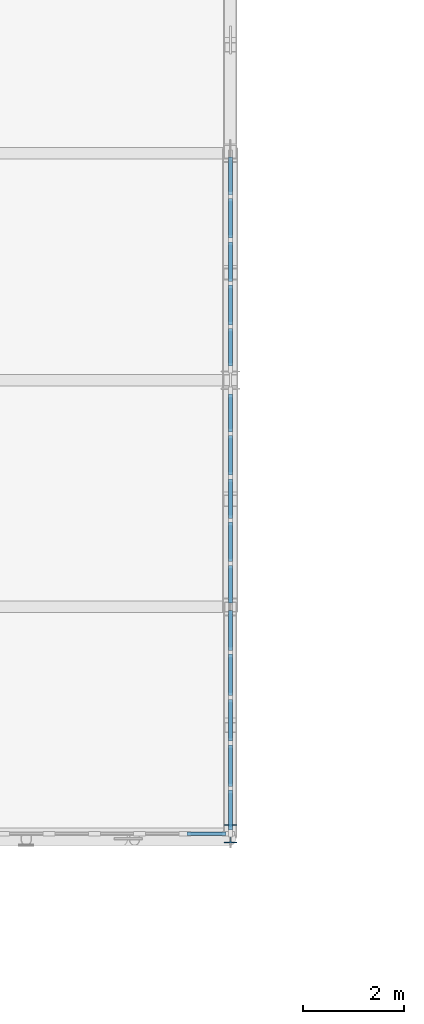
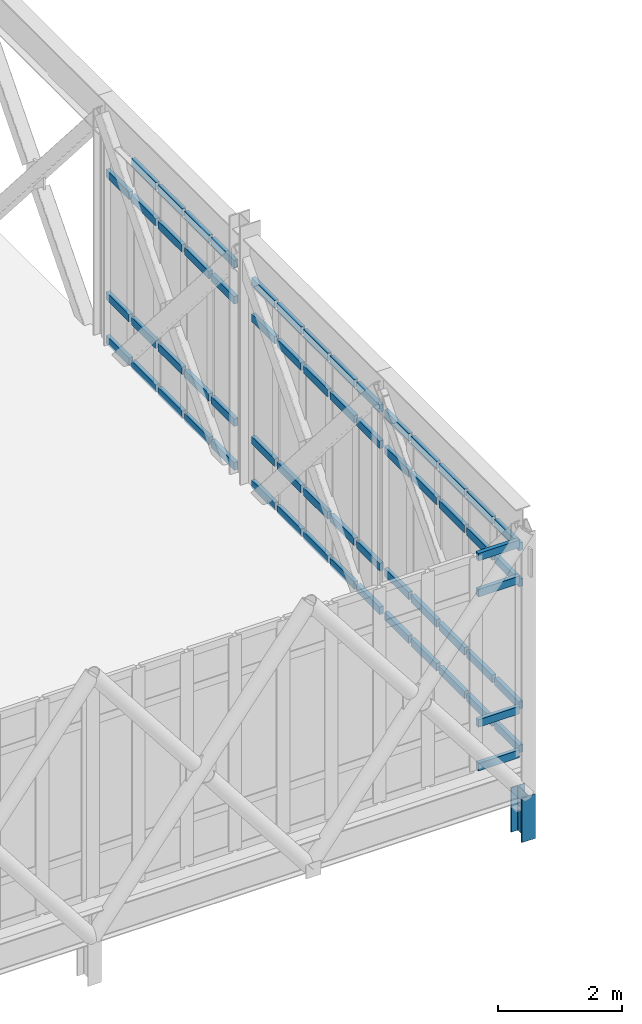
# One storey, part 51 of 107: 64 members, 4 elements without a shape of their own.
"""IFC4 building model written with IfcOpenShell, lengths in metres."""

import ifcopenshell
import ifcopenshell.guid

model = None  # the IFC model being written
_history = None  # IfcOwnerHistory: only IFC2X3 demands one
_inside = {}  # id of a spatial element -> (the spatial element, [elements in it])
_under = {}  # id of a project, library or spatial element -> (it, [spatial elements below it])
_declared = {}  # id of a project -> (the project, [libraries it declares])
_typed = {}  # id of a type object -> (the type object, [elements of that type])
_made_of = {}  # id of a material, layer set ... -> (it, [elements and type objects made of it])


def new_model(schema):
    """Start an empty IFC model of exactly this schema.

    Asked for "IFC4X3", IfcOpenShell would pick the latest addendum, in which some entities
    have other attributes; the version numbers below select the first issue.
    IFC2X3 requires an IfcOwnerHistory on every rooted entity: one is made here for all.
    """
    global model, _history
    if schema == "IFC4X3":
        model = ifcopenshell.file(schema_version=(4, 3, 0, 0))
    else:
        model = ifcopenshell.file(schema=schema)
    _inside.clear()
    _under.clear()
    _declared.clear()
    _typed.clear()
    _made_of.clear()
    _history = None
    if model.schema == "IFC2X3":
        org = make("IfcOrganization", Name="unknown")
        user = make(
            "IfcPersonAndOrganization",
            ThePerson=make("IfcPerson", FamilyName="unknown"),
            TheOrganization=org,
        )
        app = make(
            "IfcApplication",
            ApplicationDeveloper=org,
            Version="unknown",
            ApplicationFullName="unknown",
            ApplicationIdentifier="unknown",
        )
        _history = make(
            "IfcOwnerHistory",
            OwningUser=user,
            OwningApplication=app,
            ChangeAction="ADDED",
            CreationDate=0,
        )
    return model


def make(cls, **values):
    """One entity of the class cls with the attributes given. An attribute that is None is left unset."""
    return model.create_entity(
        cls, **{name: value for name, value in values.items() if value is not None}
    )


def rooted(cls, **values):
    """An entity with a GlobalId (a new one), such as an element, a storey or a relation."""
    return make(cls, GlobalId=ifcopenshell.guid.new(), OwnerHistory=_history, **values)


def si_unit(unit_type, name, prefix=None):
    """IfcSIUnit, for example si_unit("LENGTHUNIT", "METRE", prefix="MILLI")."""
    return make("IfcSIUnit", UnitType=unit_type, Prefix=prefix, Name=name)


def assignment(units):
    """IfcUnitAssignment: the units of a project."""
    return None if units is None else make("IfcUnitAssignment", Units=units)


def point(xyz):
    """IfcCartesianPoint."""
    return None if xyz is None else make("IfcCartesianPoint", Coordinates=xyz)


def direction(xyz):
    """IfcDirection."""
    return None if xyz is None else make("IfcDirection", DirectionRatios=xyz)


def frame(location, z_axis=None, x_axis=None):
    """IfcAxis2Placement3D, a coordinate frame: its origin and axes. An axis left out is left unset."""
    return make(
        "IfcAxis2Placement3D",
        Location=point(location),
        Axis=direction(z_axis),
        RefDirection=direction(x_axis),
    )


def frame_2d(location, x_axis=None):
    """IfcAxis2Placement2D, a coordinate frame in the plane: its origin and x axis."""
    return make(
        "IfcAxis2Placement2D", Location=point(location), RefDirection=direction(x_axis)
    )


def origin():
    """The frame at (0, 0, 0) with its axes left unset."""
    return frame((0.0, 0.0, 0.0))


def origin_2d():
    """The frame at (0, 0) in the plane with its x axis left unset."""
    return frame_2d((0.0, 0.0))


def place(relative_to, where):
    """IfcLocalPlacement: puts the frame where relative to a parent placement (None: the world)."""
    return make(
        "IfcLocalPlacement", PlacementRelTo=relative_to, RelativePlacement=where
    )


def context(
    kind, dimensions, precision=None, world=None, true_north=None, identifier=None
):
    """IfcGeometricRepresentationContext, for example the 3D "Model" context."""
    return make(
        "IfcGeometricRepresentationContext",
        ContextIdentifier=identifier,
        ContextType=kind,
        CoordinateSpaceDimension=dimensions,
        Precision=precision,
        WorldCoordinateSystem=world,
        TrueNorth=true_north,
    )


def subcontext(parent, identifier, kind, view, scale=None):
    """IfcGeometricRepresentationSubContext, for example "Body" below "Model"."""
    return make(
        "IfcGeometricRepresentationSubContext",
        ContextIdentifier=identifier,
        ContextType=kind,
        ParentContext=parent,
        TargetScale=scale,
        TargetView=view,
    )


def project(units=None, contexts=None):
    """IfcProject with its units and contexts."""
    return rooted(
        "IfcProject",
        Name="project",
        RepresentationContexts=contexts,
        UnitsInContext=assignment(units),
    )


def spatial(cls, under=None, at=None, **own):
    """A site, building, storey or space (cls), placed at a placement, below another one or the project."""
    s = rooted(cls, ObjectPlacement=at, **own)
    if under is not None:
        _under.setdefault(under.id(), (under, []))[1].append(s)
    return s


def profile(cls, at=None, kind="AREA", **sizes):
    """A parametric profile (cls). Its sizes go by their IFC names, for example OverallWidth=200.0."""
    return make(cls, ProfileType=kind, Position=at, **sizes)


def rectangle(**sizes):
    """IfcRectangleProfileDef."""
    return profile("IfcRectangleProfileDef", **sizes)


def i_section(**sizes):
    """IfcIShapeProfileDef."""
    return profile("IfcIShapeProfileDef", **sizes)


def extrude(swept, where, along, depth):
    """IfcExtrudedAreaSolid: the profile swept, set in the frame where, extruded along a direction by depth."""
    return make(
        "IfcExtrudedAreaSolid",
        SweptArea=swept,
        Position=where,
        ExtrudedDirection=direction(along),
        Depth=depth,
    )


def shape(context_of_items, identifier, shape_type, items):
    """IfcShapeRepresentation: the items that make up one representation, for example the "Body"."""
    return make(
        "IfcShapeRepresentation",
        ContextOfItems=context_of_items,
        RepresentationIdentifier=identifier,
        RepresentationType=shape_type,
        Items=items,
    )


def material(Name=None, Category=None):
    """IfcMaterial."""
    return make("IfcMaterial", Name=Name, Category=Category)


def material_profile(
    of_material, cross_section, Name=None, Category=None, Priority=None
):
    """IfcMaterialProfile: a cross section and its material."""
    return make(
        "IfcMaterialProfile",
        Name=Name,
        Material=of_material,
        Profile=cross_section,
        Priority=Priority,
        Category=Category,
    )


def profile_set(profiles, Name=None, composite=None):
    """IfcMaterialProfileSet."""
    return make(
        "IfcMaterialProfileSet",
        Name=Name,
        MaterialProfiles=profiles,
        CompositeProfile=composite,
    )


def made_of(thing, what):
    """Note that an element or type object is made of a material, layer set ...; save() writes the relation."""
    if what is not None:
        _made_of.setdefault(what.id(), (what, []))[1].append(thing)
    return thing


def type_object(cls, material=None, **own):
    """A type object (cls), such as IfcWallType, which elements share."""
    return made_of(rooted(cls, **own), material)


def element(
    cls,
    number,
    at=None,
    inside=None,
    cuts=None,
    type_object=None,
    material=None,
    context=None,
    identifier="Body",
    shape_type=None,
    held_by="IfcProductDefinitionShape",
    body=None,
    shapes=None,
    **own,
):
    """One element of the class cls, such as IfcWall. Its Tag is "e" and its number.

    at: its placement. inside: the storey or other place that contains it. cuts: it is an
    opening in that element (IfcRelVoidsElement). A single representation is given by context,
    identifier, shape_type and body (its items); several are given by shapes. held_by: the class
    of the entity that holds the representations. save() writes the other relations.
    """
    e = rooted(cls, Tag="e%d" % number, ObjectPlacement=at, **own)
    if body is not None:
        shapes = [shape(context, identifier, shape_type, body)]
    if shapes is not None:
        e.Representation = make(held_by, Representations=shapes)
    if inside is not None:
        _inside.setdefault(inside.id(), (inside, []))[1].append(e)
    if cuts is not None:
        rooted(
            "IfcRelVoidsElement", RelatingBuildingElement=cuts, RelatedOpeningElement=e
        )
    if type_object is not None:
        _typed.setdefault(type_object.id(), (type_object, []))[1].append(e)
    return made_of(e, material)


def aggregate(whole, parts):
    """IfcRelAggregates: a whole, such as a stair, and the parts it consists of."""
    return rooted("IfcRelAggregates", RelatingObject=whole, RelatedObjects=parts)


def save(model, path):
    """Write the relations noted so far, then the file.

    IfcRelAggregates (storeys below a building ...), IfcRelContainedInSpatialStructure (elements
    in a storey), IfcRelDefinesByType, IfcRelAssociatesMaterial and IfcRelDeclares: one each for
    every whole, place, type object, material and project.
    """
    for whole, parts in _under.values():
        aggregate(whole, parts)
    for where, things in _inside.values():
        rooted(
            "IfcRelContainedInSpatialStructure",
            RelatedElements=things,
            RelatingStructure=where,
        )
    for kind, things in _typed.values():
        rooted("IfcRelDefinesByType", RelatedObjects=things, RelatingType=kind)
    for what, things in _made_of.values():
        rooted("IfcRelAssociatesMaterial", RelatedObjects=things, RelatingMaterial=what)
    for by, libraries in _declared.values():
        rooted("IfcRelDeclares", RelatingContext=by, RelatedDefinitions=libraries)
    model.write(path)


model = new_model("IFC4")

# Units and contexts
model_context = context("Model", 3, precision=1e-05, world=origin(), true_north=direction((0.0, 1.0)))
body_context = subcontext(model_context, "Body", "Model", "MODEL_VIEW")
ifc_project = project(units=[si_unit("LENGTHUNIT", "METRE"), si_unit("AREAUNIT", "SQUARE_METRE"), si_unit("VOLUMEUNIT", "CUBIC_METRE"), si_unit("PLANEANGLEUNIT", "RADIAN"), si_unit("MASSUNIT", "GRAM", prefix="KILO")], contexts=[model_context])

# Site, building, storey
site_placement = place(None, origin())
site = spatial("IfcSite", under=ifc_project, at=site_placement, CompositionType="ELEMENT")
building_placement = place(site_placement, origin())
building = spatial("IfcBuilding", under=site, at=building_placement, Name="Tarnveldt Square Police Headquarters", CompositionType="ELEMENT")
storey_placement = place(building_placement, frame((0.0, 0.0, 14.699951171875)))
storey = spatial("IfcBuildingStorey", under=building, at=storey_placement, Name="L03", CompositionType="ELEMENT", Elevation=14.699951171875)

# Curtain wall, members
ifc_material_1 = material(Name="UL 752 Level III laminated ballistic vision glass", Category="glass")
curtain_wall_type_1 = type_object("IfcCurtainWallType", Name="CW-BL-810x422", PredefinedType="USERDEFINED", material=ifc_material_1)
curtain_wall_1_placement = place(storey_placement, origin())
curtain_wall_1 = element("IfcCurtainWall", 1, at=curtain_wall_1_placement, inside=storey, type_object=curtain_wall_type_1, Name="L03 Curtain Wall CW-L03-029", ObjectType="BALLISTIC CURTAIN WALL", PredefinedType="USERDEFINED")
ifc_material_2 = material(Name="Thermally broken anodised aluminium 6063-T6", Category="aluminium")
ifc_material_profile_1 = material_profile(ifc_material_2, rectangle(XDim=0.074951171875, YDim=0.14990234375, at=origin_2d()), Name="CW-T75x150")
ifc_profile_set_1 = profile_set([ifc_material_profile_1], Name="Thermally broken anodised aluminium 6063-T6")
member_type_1 = type_object("IfcMemberType", Name="CWT-75x150", PredefinedType="USERDEFINED", material=ifc_profile_set_1)
member_1_placement = place(storey_placement, frame((63.9423828125, 7.0, 0.03759765625), z_axis=(1.0, 0.0, 0.0), x_axis=(0.0, 1.0, 0.0)))
member_1 = element("IfcMember", 2, at=member_1_placement, type_object=member_type_1, Name="CW-BL12 transom 9.1", ObjectType="TRANSOM", PredefinedType="USERDEFINED", context=body_context, shape_type="SweptSolid", body=[
    extrude(rectangle(XDim=0.074951171875, YDim=0.14990234375, at=origin_2d()), origin(), (0.0, 0.0, 1.0), 0.772705078125),
])
member_2_placement = place(storey_placement, frame((63.9423828125, 7.0, 0.900146484375), z_axis=(1.0, 0.0, 0.0), x_axis=(0.0, 1.0, 0.0)))
member_2 = element("IfcMember", 3, at=member_2_placement, type_object=member_type_1, Name="CW-BL12 transom 9.2", ObjectType="TRANSOM", PredefinedType="USERDEFINED", context=body_context, shape_type="SweptSolid", body=[
    extrude(rectangle(XDim=0.074951171875, YDim=0.14990234375, at=origin_2d()), origin(), (0.0, 0.0, 1.0), 0.772705078125),
])
member_3_placement = place(storey_placement, frame((63.9423828125, 7.0, 3.469970703125), z_axis=(1.0, 0.0, 0.0), x_axis=(0.0, 1.0, 0.0)))
member_3 = element("IfcMember", 4, at=member_3_placement, type_object=member_type_1, Name="CW-BL12 transom 9.3", ObjectType="TRANSOM", PredefinedType="USERDEFINED", context=body_context, shape_type="SweptSolid", body=[
    extrude(rectangle(XDim=0.074951171875, YDim=0.14990234375, at=origin_2d()), origin(), (0.0, 0.0, 1.0), 0.772705078125),
])
member_4_placement = place(storey_placement, frame((63.9423828125, 7.0, 4.1826171875), z_axis=(1.0, 0.0, 0.0), x_axis=(0.0, 1.0, 0.0)))
member_4 = element("IfcMember", 5, at=member_4_placement, type_object=member_type_1, Name="CW-BL12 transom 9.4", ObjectType="TRANSOM", PredefinedType="USERDEFINED", context=body_context, shape_type="SweptSolid", body=[
    extrude(rectangle(XDim=0.074951171875, YDim=0.14990234375, at=origin_2d()), origin(), (0.0, 0.0, 1.0), 0.772705078125),
])
aggregate(curtain_wall_1, [member_1, member_2, member_3, member_4])

ifc_material_3 = material(Name="Triple-glazed low-e laminated vision glass", Category="glass")
curtain_wall_type_2 = type_object("IfcCurtainWallType", Name="CW-LT-450x407", PredefinedType="USERDEFINED", material=ifc_material_3)
curtain_wall_2_placement = place(storey_placement, origin())
curtain_wall_2 = element("IfcCurtainWall", 6, at=curtain_wall_2_placement, inside=storey, type_object=curtain_wall_type_2, Name="L03 Curtain Wall CW-L03-037", ObjectType="GLAZED CURTAIN WALL", PredefinedType="USERDEFINED")
member_5_placement = place(storey_placement, frame((64.800048828125, 7.074951171875, 0.03759765625), z_axis=(0.0, 1.0, 0.0), x_axis=(-1.0, 0.0, 0.0)))
member_5 = element("IfcMember", 7, at=member_5_placement, type_object=member_type_1, Name="CW-LT16 transom 1.1", ObjectType="TRANSOM", PredefinedType="USERDEFINED", context=body_context, shape_type="SweptSolid", body=[
    extrude(rectangle(XDim=0.074951171875, YDim=0.14990234375, at=origin_2d()), origin(), (0.0, 0.0, 1.0), 0.78759765625),
])
member_6_placement = place(storey_placement, frame((64.800048828125, 7.074951171875, 0.900146484375), z_axis=(0.0, 1.0, 0.0), x_axis=(-1.0, 0.0, 0.0)))
member_6 = element("IfcMember", 8, at=member_6_placement, type_object=member_type_1, Name="CW-LT16 transom 1.2", ObjectType="TRANSOM", PredefinedType="USERDEFINED", context=body_context, shape_type="SweptSolid", body=[
    extrude(rectangle(XDim=0.074951171875, YDim=0.14990234375, at=origin_2d()), origin(), (0.0, 0.0, 1.0), 0.78759765625),
])
member_7_placement = place(storey_placement, frame((64.800048828125, 7.074951171875, 3.316162109375), z_axis=(0.0, 1.0, 0.0), x_axis=(-1.0, 0.0, 0.0)))
member_7 = element("IfcMember", 9, at=member_7_placement, type_object=member_type_1, Name="CW-LT16 transom 1.3", ObjectType="TRANSOM", PredefinedType="USERDEFINED", context=body_context, shape_type="SweptSolid", body=[
    extrude(rectangle(XDim=0.074951171875, YDim=0.14990234375, at=origin_2d()), origin(), (0.0, 0.0, 1.0), 0.78759765625),
])
member_8_placement = place(storey_placement, frame((64.800048828125, 7.074951171875, 4.028564453125), z_axis=(0.0, 1.0, 0.0), x_axis=(-1.0, 0.0, 0.0)))
member_8 = element("IfcMember", 10, at=member_8_placement, type_object=member_type_1, Name="CW-LT16 transom 1.4", ObjectType="TRANSOM", PredefinedType="USERDEFINED", context=body_context, shape_type="SweptSolid", body=[
    extrude(rectangle(XDim=0.074951171875, YDim=0.14990234375, at=origin_2d()), origin(), (0.0, 0.0, 1.0), 0.78759765625),
])
member_9_placement = place(storey_placement, frame((64.800048828125, 7.9375, 0.03759765625), z_axis=(0.0, 1.0, 0.0), x_axis=(-1.0, 0.0, 0.0)))
member_9 = element("IfcMember", 11, at=member_9_placement, type_object=member_type_1, Name="CW-LT16 transom 2.1", ObjectType="TRANSOM", PredefinedType="USERDEFINED", context=body_context, shape_type="SweptSolid", body=[
    extrude(rectangle(XDim=0.074951171875, YDim=0.14990234375, at=origin_2d()), origin(), (0.0, 0.0, 1.0), 0.824951171875),
])
member_10_placement = place(storey_placement, frame((64.800048828125, 7.9375, 0.900146484375), z_axis=(0.0, 1.0, 0.0), x_axis=(-1.0, 0.0, 0.0)))
member_10 = element("IfcMember", 12, at=member_10_placement, type_object=member_type_1, Name="CW-LT16 transom 2.2", ObjectType="TRANSOM", PredefinedType="USERDEFINED", context=body_context, shape_type="SweptSolid", body=[
    extrude(rectangle(XDim=0.074951171875, YDim=0.14990234375, at=origin_2d()), origin(), (0.0, 0.0, 1.0), 0.824951171875),
])
member_11_placement = place(storey_placement, frame((64.800048828125, 7.9375, 3.316162109375), z_axis=(0.0, 1.0, 0.0), x_axis=(-1.0, 0.0, 0.0)))
member_11 = element("IfcMember", 13, at=member_11_placement, type_object=member_type_1, Name="CW-LT16 transom 2.3", ObjectType="TRANSOM", PredefinedType="USERDEFINED", context=body_context, shape_type="SweptSolid", body=[
    extrude(rectangle(XDim=0.074951171875, YDim=0.14990234375, at=origin_2d()), origin(), (0.0, 0.0, 1.0), 0.824951171875),
])
member_12_placement = place(storey_placement, frame((64.800048828125, 7.9375, 4.028564453125), z_axis=(0.0, 1.0, 0.0), x_axis=(-1.0, 0.0, 0.0)))
member_12 = element("IfcMember", 14, at=member_12_placement, type_object=member_type_1, Name="CW-LT16 transom 2.4", ObjectType="TRANSOM", PredefinedType="USERDEFINED", context=body_context, shape_type="SweptSolid", body=[
    extrude(rectangle(XDim=0.074951171875, YDim=0.14990234375, at=origin_2d()), origin(), (0.0, 0.0, 1.0), 0.824951171875),
])
member_13_placement = place(storey_placement, frame((64.800048828125, 8.83740234375, 0.03759765625), z_axis=(0.0, 1.0, 0.0), x_axis=(-1.0, 0.0, 0.0)))
member_13 = element("IfcMember", 15, at=member_13_placement, type_object=member_type_1, Name="CW-LT16 transom 3.1", ObjectType="TRANSOM", PredefinedType="USERDEFINED", context=body_context, shape_type="SweptSolid", body=[
    extrude(rectangle(XDim=0.074951171875, YDim=0.14990234375, at=origin_2d()), origin(), (0.0, 0.0, 1.0), 0.8251953125),
])
member_14_placement = place(storey_placement, frame((64.800048828125, 8.83740234375, 0.900146484375), z_axis=(0.0, 1.0, 0.0), x_axis=(-1.0, 0.0, 0.0)))
member_14 = element("IfcMember", 16, at=member_14_placement, type_object=member_type_1, Name="CW-LT16 transom 3.2", ObjectType="TRANSOM", PredefinedType="USERDEFINED", context=body_context, shape_type="SweptSolid", body=[
    extrude(rectangle(XDim=0.074951171875, YDim=0.14990234375, at=origin_2d()), origin(), (0.0, 0.0, 1.0), 0.8251953125),
])
member_15_placement = place(storey_placement, frame((64.800048828125, 8.83740234375, 3.316162109375), z_axis=(0.0, 1.0, 0.0), x_axis=(-1.0, 0.0, 0.0)))
member_15 = element("IfcMember", 17, at=member_15_placement, type_object=member_type_1, Name="CW-LT16 transom 3.3", ObjectType="TRANSOM", PredefinedType="USERDEFINED", context=body_context, shape_type="SweptSolid", body=[
    extrude(rectangle(XDim=0.074951171875, YDim=0.14990234375, at=origin_2d()), origin(), (0.0, 0.0, 1.0), 0.8251953125),
])
member_16_placement = place(storey_placement, frame((64.800048828125, 8.83740234375, 4.028564453125), z_axis=(0.0, 1.0, 0.0), x_axis=(-1.0, 0.0, 0.0)))
member_16 = element("IfcMember", 18, at=member_16_placement, type_object=member_type_1, Name="CW-LT16 transom 3.4", ObjectType="TRANSOM", PredefinedType="USERDEFINED", context=body_context, shape_type="SweptSolid", body=[
    extrude(rectangle(XDim=0.074951171875, YDim=0.14990234375, at=origin_2d()), origin(), (0.0, 0.0, 1.0), 0.8251953125),
])
member_17_placement = place(storey_placement, frame((64.800048828125, 9.737548828125, 0.03759765625), z_axis=(0.0, 1.0, 0.0), x_axis=(-1.0, 0.0, 0.0)))
member_17 = element("IfcMember", 19, at=member_17_placement, type_object=member_type_1, Name="CW-LT16 transom 4.1", ObjectType="TRANSOM", PredefinedType="USERDEFINED", context=body_context, shape_type="SweptSolid", body=[
    extrude(rectangle(XDim=0.074951171875, YDim=0.14990234375, at=origin_2d()), origin(), (0.0, 0.0, 1.0), 0.824951171875),
])
member_18_placement = place(storey_placement, frame((64.800048828125, 9.737548828125, 0.900146484375), z_axis=(0.0, 1.0, 0.0), x_axis=(-1.0, 0.0, 0.0)))
member_18 = element("IfcMember", 20, at=member_18_placement, type_object=member_type_1, Name="CW-LT16 transom 4.2", ObjectType="TRANSOM", PredefinedType="USERDEFINED", context=body_context, shape_type="SweptSolid", body=[
    extrude(rectangle(XDim=0.074951171875, YDim=0.14990234375, at=origin_2d()), origin(), (0.0, 0.0, 1.0), 0.824951171875),
])
member_19_placement = place(storey_placement, frame((64.800048828125, 9.737548828125, 3.316162109375), z_axis=(0.0, 1.0, 0.0), x_axis=(-1.0, 0.0, 0.0)))
member_19 = element("IfcMember", 21, at=member_19_placement, type_object=member_type_1, Name="CW-LT16 transom 4.3", ObjectType="TRANSOM", PredefinedType="USERDEFINED", context=body_context, shape_type="SweptSolid", body=[
    extrude(rectangle(XDim=0.074951171875, YDim=0.14990234375, at=origin_2d()), origin(), (0.0, 0.0, 1.0), 0.824951171875),
])
member_20_placement = place(storey_placement, frame((64.800048828125, 9.737548828125, 4.028564453125), z_axis=(0.0, 1.0, 0.0), x_axis=(-1.0, 0.0, 0.0)))
member_20 = element("IfcMember", 22, at=member_20_placement, type_object=member_type_1, Name="CW-LT16 transom 4.4", ObjectType="TRANSOM", PredefinedType="USERDEFINED", context=body_context, shape_type="SweptSolid", body=[
    extrude(rectangle(XDim=0.074951171875, YDim=0.14990234375, at=origin_2d()), origin(), (0.0, 0.0, 1.0), 0.824951171875),
])
member_21_placement = place(storey_placement, frame((64.800048828125, 10.637451171875, 0.03759765625), z_axis=(0.0, 1.0, 0.0), x_axis=(-1.0, 0.0, 0.0)))
member_21 = element("IfcMember", 23, at=member_21_placement, type_object=member_type_1, Name="CW-LT16 transom 5.1", ObjectType="TRANSOM", PredefinedType="USERDEFINED", context=body_context, shape_type="SweptSolid", body=[
    extrude(rectangle(XDim=0.074951171875, YDim=0.14990234375, at=origin_2d()), origin(), (0.0, 0.0, 1.0), 0.78759765625),
])
member_22_placement = place(storey_placement, frame((64.800048828125, 10.637451171875, 0.900146484375), z_axis=(0.0, 1.0, 0.0), x_axis=(-1.0, 0.0, 0.0)))
member_22 = element("IfcMember", 24, at=member_22_placement, type_object=member_type_1, Name="CW-LT16 transom 5.2", ObjectType="TRANSOM", PredefinedType="USERDEFINED", context=body_context, shape_type="SweptSolid", body=[
    extrude(rectangle(XDim=0.074951171875, YDim=0.14990234375, at=origin_2d()), origin(), (0.0, 0.0, 1.0), 0.78759765625),
])
member_23_placement = place(storey_placement, frame((64.800048828125, 10.637451171875, 3.316162109375), z_axis=(0.0, 1.0, 0.0), x_axis=(-1.0, 0.0, 0.0)))
member_23 = element("IfcMember", 25, at=member_23_placement, type_object=member_type_1, Name="CW-LT16 transom 5.3", ObjectType="TRANSOM", PredefinedType="USERDEFINED", context=body_context, shape_type="SweptSolid", body=[
    extrude(rectangle(XDim=0.074951171875, YDim=0.14990234375, at=origin_2d()), origin(), (0.0, 0.0, 1.0), 0.78759765625),
])
member_24_placement = place(storey_placement, frame((64.800048828125, 10.637451171875, 4.028564453125), z_axis=(0.0, 1.0, 0.0), x_axis=(-1.0, 0.0, 0.0)))
member_24 = element("IfcMember", 26, at=member_24_placement, type_object=member_type_1, Name="CW-LT16 transom 5.4", ObjectType="TRANSOM", PredefinedType="USERDEFINED", context=body_context, shape_type="SweptSolid", body=[
    extrude(rectangle(XDim=0.074951171875, YDim=0.14990234375, at=origin_2d()), origin(), (0.0, 0.0, 1.0), 0.78759765625),
])
aggregate(curtain_wall_2, [member_5, member_6, member_7, member_8, member_9, member_10, member_11, member_12, member_13, member_14, member_15, member_16, member_17, member_18, member_19, member_20, member_21, member_22, member_23, member_24])

curtain_wall_type_3 = type_object("IfcCurtainWallType", Name="CW-LT-430x407", PredefinedType="USERDEFINED", material=ifc_material_3)
curtain_wall_3_placement = place(storey_placement, origin())
curtain_wall_3 = element("IfcCurtainWall", 27, at=curtain_wall_3_placement, inside=storey, type_object=curtain_wall_type_3, Name="L03 Curtain Wall CW-L03-038", ObjectType="GLAZED CURTAIN WALL", PredefinedType="USERDEFINED")
member_25_placement = place(storey_placement, frame((64.800048828125, 11.574951171875, 0.03759765625), z_axis=(0.0, 1.0, 0.0), x_axis=(-1.0, 0.0, 0.0)))
member_25 = element("IfcMember", 28, at=member_25_placement, type_object=member_type_1, Name="CW-LT15 transom 1.1", ObjectType="TRANSOM", PredefinedType="USERDEFINED", context=body_context, shape_type="SweptSolid", body=[
    extrude(rectangle(XDim=0.074951171875, YDim=0.14990234375, at=origin_2d()), origin(), (0.0, 0.0, 1.0), 0.7470703125),
])
member_26_placement = place(storey_placement, frame((64.800048828125, 11.574951171875, 0.900146484375), z_axis=(0.0, 1.0, 0.0), x_axis=(-1.0, 0.0, 0.0)))
member_26 = element("IfcMember", 29, at=member_26_placement, type_object=member_type_1, Name="CW-LT15 transom 1.2", ObjectType="TRANSOM", PredefinedType="USERDEFINED", context=body_context, shape_type="SweptSolid", body=[
    extrude(rectangle(XDim=0.074951171875, YDim=0.14990234375, at=origin_2d()), origin(), (0.0, 0.0, 1.0), 0.7470703125),
])
member_27_placement = place(storey_placement, frame((64.800048828125, 11.574951171875, 3.316162109375), z_axis=(0.0, 1.0, 0.0), x_axis=(-1.0, 0.0, 0.0)))
member_27 = element("IfcMember", 30, at=member_27_placement, type_object=member_type_1, Name="CW-LT15 transom 1.3", ObjectType="TRANSOM", PredefinedType="USERDEFINED", context=body_context, shape_type="SweptSolid", body=[
    extrude(rectangle(XDim=0.074951171875, YDim=0.14990234375, at=origin_2d()), origin(), (0.0, 0.0, 1.0), 0.7470703125),
])
member_28_placement = place(storey_placement, frame((64.800048828125, 11.574951171875, 4.028564453125), z_axis=(0.0, 1.0, 0.0), x_axis=(-1.0, 0.0, 0.0)))
member_28 = element("IfcMember", 31, at=member_28_placement, type_object=member_type_1, Name="CW-LT15 transom 1.4", ObjectType="TRANSOM", PredefinedType="USERDEFINED", context=body_context, shape_type="SweptSolid", body=[
    extrude(rectangle(XDim=0.074951171875, YDim=0.14990234375, at=origin_2d()), origin(), (0.0, 0.0, 1.0), 0.7470703125),
])
member_29_placement = place(storey_placement, frame((64.800048828125, 12.397216796875, 0.03759765625), z_axis=(0.0, 1.0, 0.0), x_axis=(-1.0, 0.0, 0.0)))
member_29 = element("IfcMember", 32, at=member_29_placement, type_object=member_type_1, Name="CW-LT15 transom 2.1", ObjectType="TRANSOM", PredefinedType="USERDEFINED", context=body_context, shape_type="SweptSolid", body=[
    extrude(rectangle(XDim=0.074951171875, YDim=0.14990234375, at=origin_2d()), origin(), (0.0, 0.0, 1.0), 0.784423828125),
])
member_30_placement = place(storey_placement, frame((64.800048828125, 12.397216796875, 0.900146484375), z_axis=(0.0, 1.0, 0.0), x_axis=(-1.0, 0.0, 0.0)))
member_30 = element("IfcMember", 33, at=member_30_placement, type_object=member_type_1, Name="CW-LT15 transom 2.2", ObjectType="TRANSOM", PredefinedType="USERDEFINED", context=body_context, shape_type="SweptSolid", body=[
    extrude(rectangle(XDim=0.074951171875, YDim=0.14990234375, at=origin_2d()), origin(), (0.0, 0.0, 1.0), 0.784423828125),
])
member_31_placement = place(storey_placement, frame((64.800048828125, 12.397216796875, 3.316162109375), z_axis=(0.0, 1.0, 0.0), x_axis=(-1.0, 0.0, 0.0)))
member_31 = element("IfcMember", 34, at=member_31_placement, type_object=member_type_1, Name="CW-LT15 transom 2.3", ObjectType="TRANSOM", PredefinedType="USERDEFINED", context=body_context, shape_type="SweptSolid", body=[
    extrude(rectangle(XDim=0.074951171875, YDim=0.14990234375, at=origin_2d()), origin(), (0.0, 0.0, 1.0), 0.784423828125),
])
member_32_placement = place(storey_placement, frame((64.800048828125, 12.397216796875, 4.028564453125), z_axis=(0.0, 1.0, 0.0), x_axis=(-1.0, 0.0, 0.0)))
member_32 = element("IfcMember", 35, at=member_32_placement, type_object=member_type_1, Name="CW-LT15 transom 2.4", ObjectType="TRANSOM", PredefinedType="USERDEFINED", context=body_context, shape_type="SweptSolid", body=[
    extrude(rectangle(XDim=0.074951171875, YDim=0.14990234375, at=origin_2d()), origin(), (0.0, 0.0, 1.0), 0.784423828125),
])
member_33_placement = place(storey_placement, frame((64.800048828125, 13.256591796875, 0.03759765625), z_axis=(0.0, 1.0, 0.0), x_axis=(-1.0, 0.0, 0.0)))
member_33 = element("IfcMember", 36, at=member_33_placement, type_object=member_type_1, Name="CW-LT15 transom 3.1", ObjectType="TRANSOM", PredefinedType="USERDEFINED", context=body_context, shape_type="SweptSolid", body=[
    extrude(rectangle(XDim=0.074951171875, YDim=0.14990234375, at=origin_2d()), origin(), (0.0, 0.0, 1.0), 0.78466796875),
])
member_34_placement = place(storey_placement, frame((64.800048828125, 13.256591796875, 0.900146484375), z_axis=(0.0, 1.0, 0.0), x_axis=(-1.0, 0.0, 0.0)))
member_34 = element("IfcMember", 37, at=member_34_placement, type_object=member_type_1, Name="CW-LT15 transom 3.2", ObjectType="TRANSOM", PredefinedType="USERDEFINED", context=body_context, shape_type="SweptSolid", body=[
    extrude(rectangle(XDim=0.074951171875, YDim=0.14990234375, at=origin_2d()), origin(), (0.0, 0.0, 1.0), 0.78466796875),
])
member_35_placement = place(storey_placement, frame((64.800048828125, 13.256591796875, 3.316162109375), z_axis=(0.0, 1.0, 0.0), x_axis=(-1.0, 0.0, 0.0)))
member_35 = element("IfcMember", 38, at=member_35_placement, type_object=member_type_1, Name="CW-LT15 transom 3.3", ObjectType="TRANSOM", PredefinedType="USERDEFINED", context=body_context, shape_type="SweptSolid", body=[
    extrude(rectangle(XDim=0.074951171875, YDim=0.14990234375, at=origin_2d()), origin(), (0.0, 0.0, 1.0), 0.78466796875),
])
member_36_placement = place(storey_placement, frame((64.800048828125, 13.256591796875, 4.028564453125), z_axis=(0.0, 1.0, 0.0), x_axis=(-1.0, 0.0, 0.0)))
member_36 = element("IfcMember", 39, at=member_36_placement, type_object=member_type_1, Name="CW-LT15 transom 3.4", ObjectType="TRANSOM", PredefinedType="USERDEFINED", context=body_context, shape_type="SweptSolid", body=[
    extrude(rectangle(XDim=0.074951171875, YDim=0.14990234375, at=origin_2d()), origin(), (0.0, 0.0, 1.0), 0.78466796875),
])
member_37_placement = place(storey_placement, frame((64.800048828125, 14.1162109375, 0.03759765625), z_axis=(0.0, 1.0, 0.0), x_axis=(-1.0, 0.0, 0.0)))
member_37 = element("IfcMember", 40, at=member_37_placement, type_object=member_type_1, Name="CW-LT15 transom 4.1", ObjectType="TRANSOM", PredefinedType="USERDEFINED", context=body_context, shape_type="SweptSolid", body=[
    extrude(rectangle(XDim=0.074951171875, YDim=0.14990234375, at=origin_2d()), origin(), (0.0, 0.0, 1.0), 0.78466796875),
])
member_38_placement = place(storey_placement, frame((64.800048828125, 14.1162109375, 0.900146484375), z_axis=(0.0, 1.0, 0.0), x_axis=(-1.0, 0.0, 0.0)))
member_38 = element("IfcMember", 41, at=member_38_placement, type_object=member_type_1, Name="CW-LT15 transom 4.2", ObjectType="TRANSOM", PredefinedType="USERDEFINED", context=body_context, shape_type="SweptSolid", body=[
    extrude(rectangle(XDim=0.074951171875, YDim=0.14990234375, at=origin_2d()), origin(), (0.0, 0.0, 1.0), 0.78466796875),
])
member_39_placement = place(storey_placement, frame((64.800048828125, 14.1162109375, 3.316162109375), z_axis=(0.0, 1.0, 0.0), x_axis=(-1.0, 0.0, 0.0)))
member_39 = element("IfcMember", 42, at=member_39_placement, type_object=member_type_1, Name="CW-LT15 transom 4.3", ObjectType="TRANSOM", PredefinedType="USERDEFINED", context=body_context, shape_type="SweptSolid", body=[
    extrude(rectangle(XDim=0.074951171875, YDim=0.14990234375, at=origin_2d()), origin(), (0.0, 0.0, 1.0), 0.78466796875),
])
member_40_placement = place(storey_placement, frame((64.800048828125, 14.1162109375, 4.028564453125), z_axis=(0.0, 1.0, 0.0), x_axis=(-1.0, 0.0, 0.0)))
member_40 = element("IfcMember", 43, at=member_40_placement, type_object=member_type_1, Name="CW-LT15 transom 4.4", ObjectType="TRANSOM", PredefinedType="USERDEFINED", context=body_context, shape_type="SweptSolid", body=[
    extrude(rectangle(XDim=0.074951171875, YDim=0.14990234375, at=origin_2d()), origin(), (0.0, 0.0, 1.0), 0.78466796875),
])
member_41_placement = place(storey_placement, frame((64.800048828125, 14.975830078125, 0.03759765625), z_axis=(0.0, 1.0, 0.0), x_axis=(-1.0, 0.0, 0.0)))
member_41 = element("IfcMember", 44, at=member_41_placement, type_object=member_type_1, Name="CW-LT15 transom 5.1", ObjectType="TRANSOM", PredefinedType="USERDEFINED", context=body_context, shape_type="SweptSolid", body=[
    extrude(rectangle(XDim=0.074951171875, YDim=0.14990234375, at=origin_2d()), origin(), (0.0, 0.0, 1.0), 0.7470703125),
])
member_42_placement = place(storey_placement, frame((64.800048828125, 14.975830078125, 0.900146484375), z_axis=(0.0, 1.0, 0.0), x_axis=(-1.0, 0.0, 0.0)))
member_42 = element("IfcMember", 45, at=member_42_placement, type_object=member_type_1, Name="CW-LT15 transom 5.2", ObjectType="TRANSOM", PredefinedType="USERDEFINED", context=body_context, shape_type="SweptSolid", body=[
    extrude(rectangle(XDim=0.074951171875, YDim=0.14990234375, at=origin_2d()), origin(), (0.0, 0.0, 1.0), 0.7470703125),
])
member_43_placement = place(storey_placement, frame((64.800048828125, 14.975830078125, 3.316162109375), z_axis=(0.0, 1.0, 0.0), x_axis=(-1.0, 0.0, 0.0)))
member_43 = element("IfcMember", 46, at=member_43_placement, type_object=member_type_1, Name="CW-LT15 transom 5.3", ObjectType="TRANSOM", PredefinedType="USERDEFINED", context=body_context, shape_type="SweptSolid", body=[
    extrude(rectangle(XDim=0.074951171875, YDim=0.14990234375, at=origin_2d()), origin(), (0.0, 0.0, 1.0), 0.7470703125),
])
member_44_placement = place(storey_placement, frame((64.800048828125, 14.975830078125, 4.028564453125), z_axis=(0.0, 1.0, 0.0), x_axis=(-1.0, 0.0, 0.0)))
member_44 = element("IfcMember", 47, at=member_44_placement, type_object=member_type_1, Name="CW-LT15 transom 5.4", ObjectType="TRANSOM", PredefinedType="USERDEFINED", context=body_context, shape_type="SweptSolid", body=[
    extrude(rectangle(XDim=0.074951171875, YDim=0.14990234375, at=origin_2d()), origin(), (0.0, 0.0, 1.0), 0.7470703125),
])
aggregate(curtain_wall_3, [member_25, member_26, member_27, member_28, member_29, member_30, member_31, member_32, member_33, member_34, member_35, member_36, member_37, member_38, member_39, member_40, member_41, member_42, member_43, member_44])

curtain_wall_4_placement = place(storey_placement, origin())
curtain_wall_4 = element("IfcCurtainWall", 48, at=curtain_wall_4_placement, inside=storey, type_object=curtain_wall_type_3, Name="L03 Curtain Wall CW-L03-039", ObjectType="GLAZED CURTAIN WALL", PredefinedType="USERDEFINED")
member_45_placement = place(storey_placement, frame((64.800048828125, 16.277099609375, 0.03759765625), z_axis=(0.0, 1.0, 0.0), x_axis=(-1.0, 0.0, 0.0)))
member_45 = element("IfcMember", 49, at=member_45_placement, type_object=member_type_1, Name="CW-LT15 transom 1.1", ObjectType="TRANSOM", PredefinedType="USERDEFINED", context=body_context, shape_type="SweptSolid", body=[
    extrude(rectangle(XDim=0.074951171875, YDim=0.14990234375, at=origin_2d()), origin(), (0.0, 0.0, 1.0), 0.7470703125),
])
member_46_placement = place(storey_placement, frame((64.800048828125, 16.277099609375, 0.900146484375), z_axis=(0.0, 1.0, 0.0), x_axis=(-1.0, 0.0, 0.0)))
member_46 = element("IfcMember", 50, at=member_46_placement, type_object=member_type_1, Name="CW-LT15 transom 1.2", ObjectType="TRANSOM", PredefinedType="USERDEFINED", context=body_context, shape_type="SweptSolid", body=[
    extrude(rectangle(XDim=0.074951171875, YDim=0.14990234375, at=origin_2d()), origin(), (0.0, 0.0, 1.0), 0.7470703125),
])
member_47_placement = place(storey_placement, frame((64.800048828125, 16.277099609375, 3.316162109375), z_axis=(0.0, 1.0, 0.0), x_axis=(-1.0, 0.0, 0.0)))
member_47 = element("IfcMember", 51, at=member_47_placement, type_object=member_type_1, Name="CW-LT15 transom 1.3", ObjectType="TRANSOM", PredefinedType="USERDEFINED", context=body_context, shape_type="SweptSolid", body=[
    extrude(rectangle(XDim=0.074951171875, YDim=0.14990234375, at=origin_2d()), origin(), (0.0, 0.0, 1.0), 0.7470703125),
])
member_48_placement = place(storey_placement, frame((64.800048828125, 16.277099609375, 4.028564453125), z_axis=(0.0, 1.0, 0.0), x_axis=(-1.0, 0.0, 0.0)))
member_48 = element("IfcMember", 52, at=member_48_placement, type_object=member_type_1, Name="CW-LT15 transom 1.4", ObjectType="TRANSOM", PredefinedType="USERDEFINED", context=body_context, shape_type="SweptSolid", body=[
    extrude(rectangle(XDim=0.074951171875, YDim=0.14990234375, at=origin_2d()), origin(), (0.0, 0.0, 1.0), 0.7470703125),
])
member_49_placement = place(storey_placement, frame((64.800048828125, 17.09912109375, 0.03759765625), z_axis=(0.0, 1.0, 0.0), x_axis=(-1.0, 0.0, 0.0)))
member_49 = element("IfcMember", 53, at=member_49_placement, type_object=member_type_1, Name="CW-LT15 transom 2.1", ObjectType="TRANSOM", PredefinedType="USERDEFINED", context=body_context, shape_type="SweptSolid", body=[
    extrude(rectangle(XDim=0.074951171875, YDim=0.14990234375, at=origin_2d()), origin(), (0.0, 0.0, 1.0), 0.78466796875),
])
member_50_placement = place(storey_placement, frame((64.800048828125, 17.09912109375, 0.900146484375), z_axis=(0.0, 1.0, 0.0), x_axis=(-1.0, 0.0, 0.0)))
member_50 = element("IfcMember", 54, at=member_50_placement, type_object=member_type_1, Name="CW-LT15 transom 2.2", ObjectType="TRANSOM", PredefinedType="USERDEFINED", context=body_context, shape_type="SweptSolid", body=[
    extrude(rectangle(XDim=0.074951171875, YDim=0.14990234375, at=origin_2d()), origin(), (0.0, 0.0, 1.0), 0.78466796875),
])
member_51_placement = place(storey_placement, frame((64.800048828125, 17.09912109375, 3.316162109375), z_axis=(0.0, 1.0, 0.0), x_axis=(-1.0, 0.0, 0.0)))
member_51 = element("IfcMember", 55, at=member_51_placement, type_object=member_type_1, Name="CW-LT15 transom 2.3", ObjectType="TRANSOM", PredefinedType="USERDEFINED", context=body_context, shape_type="SweptSolid", body=[
    extrude(rectangle(XDim=0.074951171875, YDim=0.14990234375, at=origin_2d()), origin(), (0.0, 0.0, 1.0), 0.78466796875),
])
member_52_placement = place(storey_placement, frame((64.800048828125, 17.09912109375, 4.028564453125), z_axis=(0.0, 1.0, 0.0), x_axis=(-1.0, 0.0, 0.0)))
member_52 = element("IfcMember", 56, at=member_52_placement, type_object=member_type_1, Name="CW-LT15 transom 2.4", ObjectType="TRANSOM", PredefinedType="USERDEFINED", context=body_context, shape_type="SweptSolid", body=[
    extrude(rectangle(XDim=0.074951171875, YDim=0.14990234375, at=origin_2d()), origin(), (0.0, 0.0, 1.0), 0.78466796875),
])
member_53_placement = place(storey_placement, frame((64.800048828125, 17.958740234375, 0.03759765625), z_axis=(0.0, 1.0, 0.0), x_axis=(-1.0, 0.0, 0.0)))
member_53 = element("IfcMember", 57, at=member_53_placement, type_object=member_type_1, Name="CW-LT15 transom 3.1", ObjectType="TRANSOM", PredefinedType="USERDEFINED", context=body_context, shape_type="SweptSolid", body=[
    extrude(rectangle(XDim=0.074951171875, YDim=0.14990234375, at=origin_2d()), origin(), (0.0, 0.0, 1.0), 0.78466796875),
])
member_54_placement = place(storey_placement, frame((64.800048828125, 17.958740234375, 0.900146484375), z_axis=(0.0, 1.0, 0.0), x_axis=(-1.0, 0.0, 0.0)))
member_54 = element("IfcMember", 58, at=member_54_placement, type_object=member_type_1, Name="CW-LT15 transom 3.2", ObjectType="TRANSOM", PredefinedType="USERDEFINED", context=body_context, shape_type="SweptSolid", body=[
    extrude(rectangle(XDim=0.074951171875, YDim=0.14990234375, at=origin_2d()), origin(), (0.0, 0.0, 1.0), 0.78466796875),
])
member_55_placement = place(storey_placement, frame((64.800048828125, 17.958740234375, 3.316162109375), z_axis=(0.0, 1.0, 0.0), x_axis=(-1.0, 0.0, 0.0)))
member_55 = element("IfcMember", 59, at=member_55_placement, type_object=member_type_1, Name="CW-LT15 transom 3.3", ObjectType="TRANSOM", PredefinedType="USERDEFINED", context=body_context, shape_type="SweptSolid", body=[
    extrude(rectangle(XDim=0.074951171875, YDim=0.14990234375, at=origin_2d()), origin(), (0.0, 0.0, 1.0), 0.78466796875),
])
member_56_placement = place(storey_placement, frame((64.800048828125, 17.958740234375, 4.028564453125), z_axis=(0.0, 1.0, 0.0), x_axis=(-1.0, 0.0, 0.0)))
member_56 = element("IfcMember", 60, at=member_56_placement, type_object=member_type_1, Name="CW-LT15 transom 3.4", ObjectType="TRANSOM", PredefinedType="USERDEFINED", context=body_context, shape_type="SweptSolid", body=[
    extrude(rectangle(XDim=0.074951171875, YDim=0.14990234375, at=origin_2d()), origin(), (0.0, 0.0, 1.0), 0.78466796875),
])
member_57_placement = place(storey_placement, frame((64.800048828125, 18.818359375, 0.03759765625), z_axis=(0.0, 1.0, 0.0), x_axis=(-1.0, 0.0, 0.0)))
member_57 = element("IfcMember", 61, at=member_57_placement, type_object=member_type_1, Name="CW-LT15 transom 4.1", ObjectType="TRANSOM", PredefinedType="USERDEFINED", context=body_context, shape_type="SweptSolid", body=[
    extrude(rectangle(XDim=0.074951171875, YDim=0.14990234375, at=origin_2d()), origin(), (0.0, 0.0, 1.0), 0.784423828125),
])
member_58_placement = place(storey_placement, frame((64.800048828125, 18.818359375, 0.900146484375), z_axis=(0.0, 1.0, 0.0), x_axis=(-1.0, 0.0, 0.0)))
member_58 = element("IfcMember", 62, at=member_58_placement, type_object=member_type_1, Name="CW-LT15 transom 4.2", ObjectType="TRANSOM", PredefinedType="USERDEFINED", context=body_context, shape_type="SweptSolid", body=[
    extrude(rectangle(XDim=0.074951171875, YDim=0.14990234375, at=origin_2d()), origin(), (0.0, 0.0, 1.0), 0.784423828125),
])
member_59_placement = place(storey_placement, frame((64.800048828125, 18.818359375, 3.316162109375), z_axis=(0.0, 1.0, 0.0), x_axis=(-1.0, 0.0, 0.0)))
member_59 = element("IfcMember", 63, at=member_59_placement, type_object=member_type_1, Name="CW-LT15 transom 4.3", ObjectType="TRANSOM", PredefinedType="USERDEFINED", context=body_context, shape_type="SweptSolid", body=[
    extrude(rectangle(XDim=0.074951171875, YDim=0.14990234375, at=origin_2d()), origin(), (0.0, 0.0, 1.0), 0.784423828125),
])
member_60_placement = place(storey_placement, frame((64.800048828125, 18.818359375, 4.028564453125), z_axis=(0.0, 1.0, 0.0), x_axis=(-1.0, 0.0, 0.0)))
member_60 = element("IfcMember", 64, at=member_60_placement, type_object=member_type_1, Name="CW-LT15 transom 4.4", ObjectType="TRANSOM", PredefinedType="USERDEFINED", context=body_context, shape_type="SweptSolid", body=[
    extrude(rectangle(XDim=0.074951171875, YDim=0.14990234375, at=origin_2d()), origin(), (0.0, 0.0, 1.0), 0.784423828125),
])
member_61_placement = place(storey_placement, frame((64.800048828125, 19.677978515625, 0.03759765625), z_axis=(0.0, 1.0, 0.0), x_axis=(-1.0, 0.0, 0.0)))
member_61 = element("IfcMember", 65, at=member_61_placement, type_object=member_type_1, Name="CW-LT15 transom 5.1", ObjectType="TRANSOM", PredefinedType="USERDEFINED", context=body_context, shape_type="SweptSolid", body=[
    extrude(rectangle(XDim=0.074951171875, YDim=0.14990234375, at=origin_2d()), origin(), (0.0, 0.0, 1.0), 0.7470703125),
])
member_62_placement = place(storey_placement, frame((64.800048828125, 19.677978515625, 0.900146484375), z_axis=(0.0, 1.0, 0.0), x_axis=(-1.0, 0.0, 0.0)))
member_62 = element("IfcMember", 66, at=member_62_placement, type_object=member_type_1, Name="CW-LT15 transom 5.2", ObjectType="TRANSOM", PredefinedType="USERDEFINED", context=body_context, shape_type="SweptSolid", body=[
    extrude(rectangle(XDim=0.074951171875, YDim=0.14990234375, at=origin_2d()), origin(), (0.0, 0.0, 1.0), 0.7470703125),
])
member_63_placement = place(storey_placement, frame((64.800048828125, 19.677978515625, 3.316162109375), z_axis=(0.0, 1.0, 0.0), x_axis=(-1.0, 0.0, 0.0)))
member_63 = element("IfcMember", 67, at=member_63_placement, type_object=member_type_1, Name="CW-LT15 transom 5.3", ObjectType="TRANSOM", PredefinedType="USERDEFINED", context=body_context, shape_type="SweptSolid", body=[
    extrude(rectangle(XDim=0.074951171875, YDim=0.14990234375, at=origin_2d()), origin(), (0.0, 0.0, 1.0), 0.7470703125),
])
aggregate(curtain_wall_4, [member_45, member_46, member_47, member_48, member_49, member_50, member_51, member_52, member_53, member_54, member_55, member_56, member_57, member_58, member_59, member_60, member_61, member_62, member_63])

# Member
ifc_material_4 = material(Name="Steel 350W", Category="steel")
ifc_material_profile_2 = material_profile(ifc_material_4, i_section(OverallWidth=0.257080078125, OverallDepth=0.363037109375, WebThickness=0.012939453125, FlangeThickness=0.021728515625, FilletRadius=0.01611328125, at=origin_2d()), Name="W360x122")
ifc_profile_set_2 = profile_set([ifc_material_profile_2], Name="Steel 350W")
member_type_2 = type_object("IfcMemberType", Name="MEM-CT-POST", PredefinedType="STRUT", material=ifc_profile_set_2)
member_64_placement = place(storey_placement, frame((64.800048828125, 7.0, -1.619873046875), z_axis=(0.0, 0.0, 1.0), x_axis=(1.0, 0.0, 0.0)))
element("IfcMember", 68, at=member_64_placement, inside=storey, type_object=member_type_2, Name="Lantern Soffit Tip Hanger 8", PredefinedType="STRUT", context=body_context, shape_type="SweptSolid", body=[
    extrude(i_section(OverallWidth=0.257080078125, OverallDepth=0.363037109375, WebThickness=0.012939453125, FlangeThickness=0.021728515625, FilletRadius=0.01611328125, at=origin_2d()), origin(), (0.0, 0.0, 1.0), 0.876953125),
])

save(model, "model.ifc")
